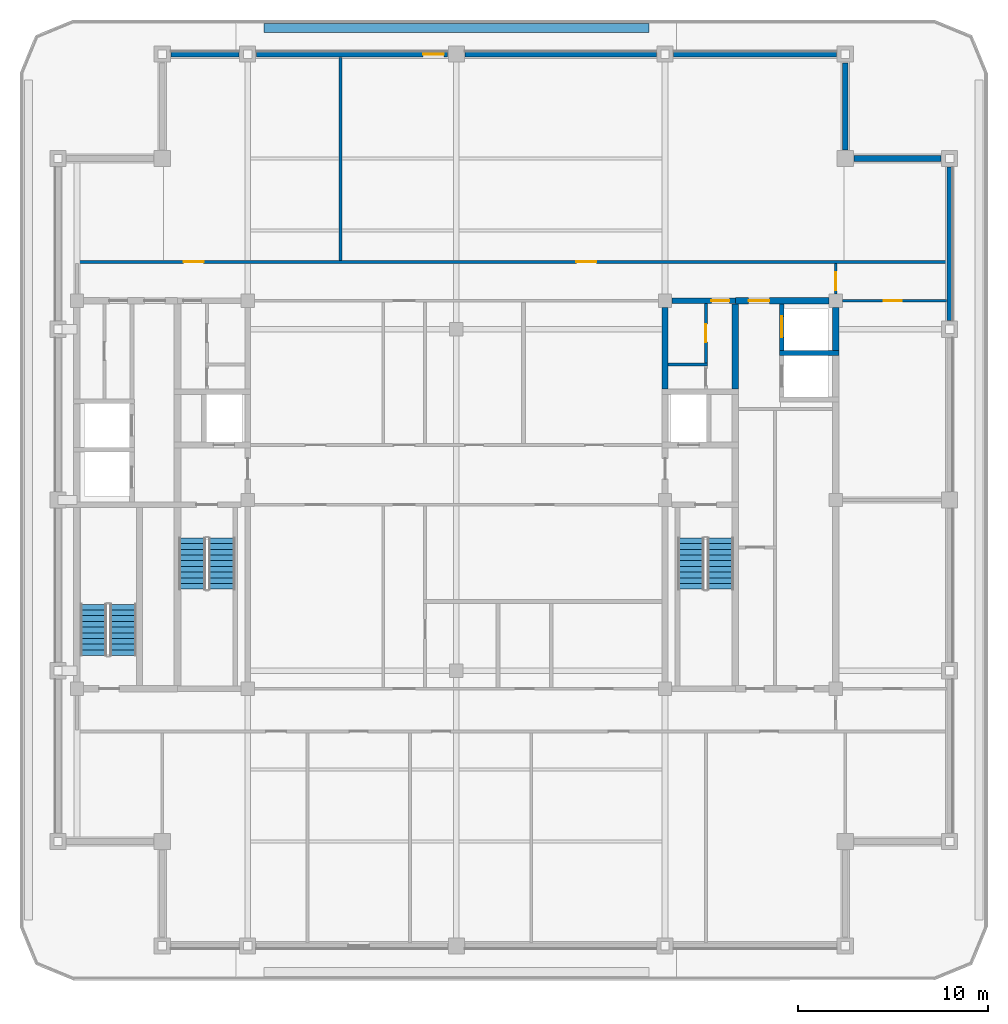
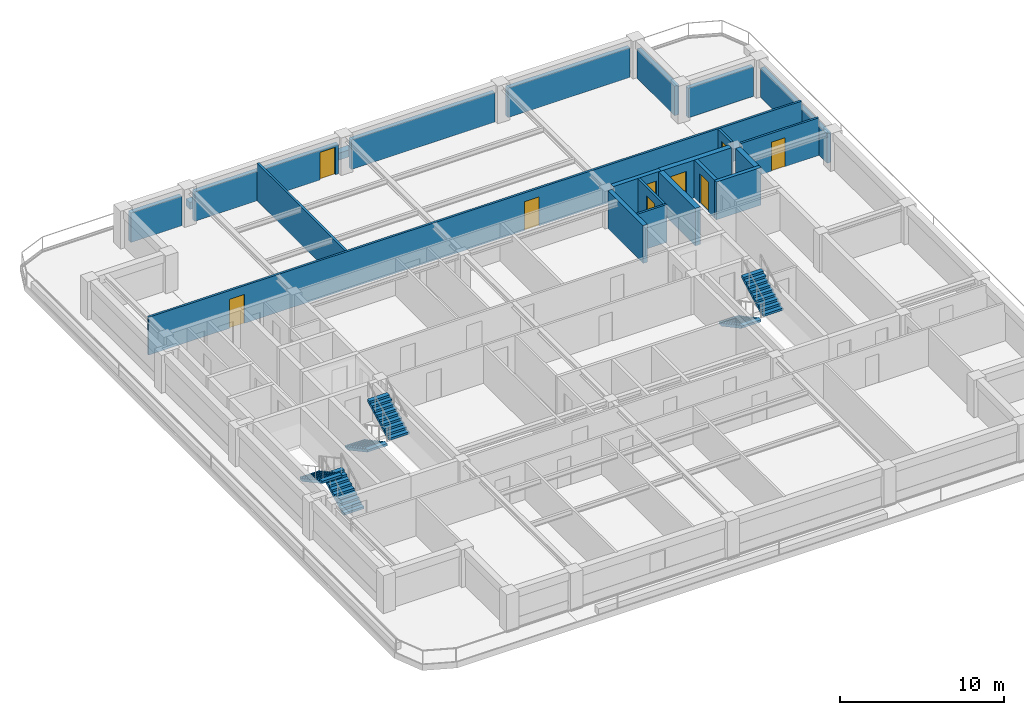
# One storey, part 5 of 10: 21 walls, 9 doors, 6 stair flights, 9 openings, 3 elements without a shape of their own.
"""IFC4 building model written with IfcOpenShell, lengths in metres."""

from ifc_helpers import new_model, si_unit, direction, frame, frame_2d, origin, place, context, subcontext, project, spatial, polyline, rectangle, outline, extrude, material, layer, layer_set, type_object, element, fill, aggregate, save


model = new_model("IFC4")

# Units and contexts
model_context = context("Model", 3, precision=1e-05, world=origin(), true_north=direction((0.0, 1.0)))
body_context = subcontext(model_context, "Body", "Model", "MODEL_VIEW")
ifc_project = project(units=[si_unit("LENGTHUNIT", "METRE"), si_unit("AREAUNIT", "SQUARE_METRE"), si_unit("VOLUMEUNIT", "CUBIC_METRE"), si_unit("PLANEANGLEUNIT", "RADIAN"), si_unit("MASSUNIT", "GRAM", prefix="KILO")], contexts=[model_context])

# Site, building, storey
site_placement = place(None, origin())
site = spatial("IfcSite", under=ifc_project, at=site_placement, CompositionType="ELEMENT")
building_placement = place(site_placement, origin())
building = spatial("IfcBuilding", under=site, at=building_placement, Name="Zulmaris Gate Convention Tower", CompositionType="ELEMENT")
storey_placement = place(building_placement, frame((0.0, 0.0, 246.199951171875)))
storey = spatial("IfcBuildingStorey", under=building, at=storey_placement, Name="L65", CompositionType="ELEMENT", Elevation=246.199951171875)

# Wall
ifc_material_1 = material(Name="Concrete C50/60", Category="concrete")
ifc_layer_1 = layer(ifc_material_1, 0.25, Name="Concrete C50/60")
ifc_layer_set_1 = layer_set([ifc_layer_1], Name="Concrete C50/60")
wall_type_1 = type_object("IfcWallType", Name="CORE-250", PredefinedType="SOLIDWALL", material=ifc_layer_set_1)
wall_1_placement = place(storey_placement, frame((17.02490234375, 7.75, 0.0), z_axis=(0.0, 0.0, 1.0), x_axis=(1.0, 0.0, 0.0)))
element("IfcWall", 1, at=wall_1_placement, inside=storey, type_object=wall_type_1, Name="WL-L65-014", PredefinedType="SOLIDWALL", context=body_context, shape_type="SweptSolid", body=[
    extrude(rectangle(XDim=3.150146484375, YDim=0.25, at=frame_2d((1.5751953125, 0.0))), origin(), (0.0, 0.0, 1.0), 2.804931640625),
])

# Wall, opening, door
wall_2_placement = place(storey_placement, frame((17.14990234375, 7.876953125, 0.0), z_axis=(0.0, 0.0, 1.0), x_axis=(0.0, 1.0, 0.0)))
wall_2 = element("IfcWall", 2, at=wall_2_placement, inside=storey, type_object=wall_type_1, Name="WL-L65-061", PredefinedType="SOLIDWALL", context=body_context, shape_type="SweptSolid", body=[
    extrude(rectangle(XDim=2.446044921875, YDim=0.25, at=frame_2d((1.22314453125, 0.0))), origin(), (0.0, 0.0, 1.0), 2.804931640625),
])
opening_1_placement = place(wall_2_placement, frame((0.697998046875, 0.0, 0.0)))
opening_1 = element("IfcOpeningElement", 3, at=opening_1_placement, cuts=wall_2, Name="Opening D-06", PredefinedType="OPENING", context=body_context, shape_type="SweptSolid", body=[
    extrude(rectangle(XDim=1.10009765625, YDim=2.199951171875, at=frame_2d((0.550048828125, 1.10009765625))), frame((0.0, 0.135009765625, 0.0), z_axis=(0.0, -1.0, 0.0), x_axis=(1.0, 0.0, 0.0)), (0.0, 0.0, 1.0), 0.27001953125),
])
ifc_material_2 = material(Name="Brushed Stainless Steel", Category="steel")
door_type_1 = type_object("IfcDoorType", Name="LD-1100", OperationType="NOTDEFINED", PredefinedType="DOOR", material=ifc_material_2)
door_1_placement = place(opening_1_placement, origin())
door_1 = element("IfcDoor", 4, at=door_1_placement, inside=storey, type_object=door_type_1, Name="L65 Lift Landing Door HP-02 20", OperationType="SLIDING_TO_RIGHT", OverallHeight=2.199951171875, OverallWidth=1.10009765625, PredefinedType="DOOR", context=body_context, shape_type="SweptSolid", body=[
    extrude(rectangle(XDim=1.10009765625, YDim=2.199951171875, at=frame_2d((0.550048828125, 1.10009765625))), frame((0.0, 0.02490234375, 0.0), z_axis=(0.0, -1.0, 0.0), x_axis=(1.0, 0.0, 0.0)), (0.0, 0.0, 1.0), 0.050048828125),
])
fill(opening_1, door_1)

ifc_layer_2 = layer(ifc_material_1, 0.300048828125, Name="Concrete C50/60")
ifc_layer_set_2 = layer_set([ifc_layer_2], Name="Concrete C50/60")
wall_type_2 = type_object("IfcWallType", Name="CORE-300", PredefinedType="SHEAR", material=ifc_layer_set_2)
wall_3_placement = place(storey_placement, frame((11.35400390625, 10.5, 0.0), z_axis=(0.0, 0.0, 1.0), x_axis=(1.0, 0.0, 0.0)))
wall_3 = element("IfcWall", 5, at=wall_3_placement, inside=storey, type_object=wall_type_2, Name="WL-L65-017", PredefinedType="SHEAR", context=body_context, shape_type="SweptSolid", body=[
    extrude(rectangle(XDim=3.345947265625, YDim=0.300048828125, at=frame_2d((1.6728515625, 0.0))), origin(), (0.0, 0.0, 1.0), 2.804931640625),
])
opening_2_placement = place(wall_3_placement, frame((2.091064453125, 0.0, 0.0)))
opening_2 = element("IfcOpeningElement", 6, at=opening_2_placement, cuts=wall_3, Name="Opening D-11", PredefinedType="OPENING", context=body_context, shape_type="SweptSolid", body=[
    extrude(rectangle(XDim=0.949951171875, YDim=2.14990234375, at=frame_2d((0.47509765625, 1.074951171875))), frame((0.0, 0.16015625, 0.0), z_axis=(0.0, -1.0, 0.0), x_axis=(1.0, 0.0, 0.0)), (0.0, 0.0, 1.0), 0.320068359375),
])
ifc_material_3 = material(Name="Fire-Rated Timber", Category="wood")
door_type_2 = type_object("IfcDoorType", Name="DR-950-FD", OperationType="NOTDEFINED", PredefinedType="DOOR", material=ifc_material_3)
door_2_placement = place(opening_2_placement, origin())
door_2 = element("IfcDoor", 7, at=door_2_placement, inside=storey, type_object=door_type_2, Name="L65 Core East Passage Door 10", OperationType="SINGLE_SWING_LEFT", OverallHeight=2.14990234375, OverallWidth=0.949951171875, PredefinedType="DOOR", context=body_context, shape_type="SweptSolid", body=[
    extrude(rectangle(XDim=0.949951171875, YDim=2.14990234375, at=frame_2d((0.47509765625, 1.074951171875))), frame((0.0, 0.02490234375, 0.0), z_axis=(0.0, -1.0, 0.0), x_axis=(1.0, 0.0, 0.0)), (0.0, 0.0, 1.0), 0.050048828125),
])
fill(opening_2, door_2)

# Wall
wall_4_placement = place(storey_placement, frame((11.0, 5.85205078125, 0.0), z_axis=(0.0, 0.0, 1.0), x_axis=(0.0, 1.0, 0.0)))
element("IfcWall", 8, at=wall_4_placement, inside=storey, type_object=wall_type_2, Name="WL-L65-053", PredefinedType="SHEAR", context=body_context, shape_type="SweptSolid", body=[
    extrude(rectangle(XDim=4.2939453125, YDim=0.300048828125, at=frame_2d((2.14697265625, 0.0))), origin(), (0.0, 0.0, 1.0), 2.804931640625),
])

# Wall, opening, door
ifc_material_4 = material(Name="Concrete C55/67", Category="concrete")
ifc_layer_3 = layer(ifc_material_4, 0.35009765625, Name="Concrete C55/67")
ifc_layer_set_3 = layer_set([ifc_layer_3], Name="Concrete C55/67")
wall_type_3 = type_object("IfcWallType", Name="CORE-350", PredefinedType="SHEAR", material=ifc_layer_set_3)
wall_5_placement = place(storey_placement, frame((14.699951171875, 10.5, 0.0), z_axis=(0.0, 0.0, 1.0), x_axis=(1.0, 0.0, 0.0)))
wall_5 = element("IfcWall", 9, at=wall_5_placement, inside=storey, type_object=wall_type_3, Name="WL-L65-018", PredefinedType="SHEAR", context=body_context, shape_type="SweptSolid", body=[
    extrude(rectangle(XDim=4.946044921875, YDim=0.35009765625, at=frame_2d((2.47314453125, 0.0))), origin(), (0.0, 0.0, 1.0), 2.804931640625),
])
opening_3_placement = place(wall_5_placement, frame((0.699951171875, 0.0, 0.0)))
opening_3 = element("IfcOpeningElement", 10, at=opening_3_placement, cuts=wall_5, Name="Opening D-08", PredefinedType="OPENING", context=body_context, shape_type="SweptSolid", body=[
    extrude(rectangle(XDim=1.10009765625, YDim=2.14990234375, at=frame_2d((0.550048828125, 1.074951171875))), frame((0.0, 0.18505859375, 0.0), z_axis=(0.0, -1.0, 0.0), x_axis=(1.0, 0.0, 0.0)), (0.0, 0.0, 1.0), 0.3701171875),
])
ifc_material_5 = material(Name="Fire-Rated Steel", Category="steel")
door_type_3 = type_object("IfcDoorType", Name="DR-1100-FD", OperationType="NOTDEFINED", PredefinedType="DOOR", material=ifc_material_5)
door_3_placement = place(opening_3_placement, origin())
door_3 = element("IfcDoor", 11, at=door_3_placement, inside=storey, type_object=door_type_3, Name="L65 High-Rise East Lift Lobby Door 21", OperationType="SINGLE_SWING_RIGHT", OverallHeight=2.14990234375, OverallWidth=1.10009765625, PredefinedType="DOOR", context=body_context, shape_type="SweptSolid", body=[
    extrude(rectangle(XDim=1.10009765625, YDim=2.14990234375, at=frame_2d((0.550048828125, 1.074951171875))), frame((0.0, 0.02490234375, 0.0), z_axis=(0.0, -1.0, 0.0), x_axis=(1.0, 0.0, 0.0)), (0.0, 0.0, 1.0), 0.050048828125),
])
fill(opening_3, door_3)

# Walls
wall_6_placement = place(storey_placement, frame((14.699951171875, 5.85205078125, 0.0), z_axis=(0.0, 0.0, 1.0), x_axis=(0.0, 1.0, 0.0)))
element("IfcWall", 12, at=wall_6_placement, inside=storey, type_object=wall_type_3, Name="WL-L65-059", PredefinedType="SHEAR", context=body_context, shape_type="SweptSolid", body=[
    extrude(rectangle(XDim=4.470947265625, YDim=0.35009765625, at=frame_2d((2.2353515625, 0.0))), origin(), (0.0, 0.0, 1.0), 2.804931640625),
])
wall_7_placement = place(storey_placement, frame((20.0, 7.876953125, 0.0), z_axis=(0.0, 0.0, 1.0), x_axis=(0.0, 1.0, 0.0)))
element("IfcWall", 13, at=wall_7_placement, inside=storey, type_object=wall_type_3, Name="WL-L65-064", PredefinedType="SHEAR", context=body_context, shape_type="SweptSolid", body=[
    extrude(rectangle(XDim=2.26904296875, YDim=0.35009765625, at=frame_2d((1.134521484375, 0.0))), origin(), (0.0, 0.0, 1.0), 2.804931640625),
])
ifc_material_6 = material(Name="Gypsum Metal Stud Partition")
ifc_layer_4 = layer(ifc_material_6, 0.14990234375, Name="Gypsum Metal Stud Partition")
ifc_layer_set_4 = layer_set([ifc_layer_4], Name="Gypsum Metal Stud Partition")
wall_type_4 = type_object("IfcWallType", Name="PART-150", PredefinedType="PARTITIONING", material=ifc_layer_set_4)
wall_8_placement = place(storey_placement, frame((11.153076171875, 7.14990234375, 0.0), z_axis=(0.0, 0.0, 1.0), x_axis=(1.0, 0.0, 0.0)))
element("IfcWall", 14, at=wall_8_placement, inside=storey, type_object=wall_type_4, Name="WL-L65-029", PredefinedType="PARTITIONING", context=body_context, shape_type="SweptSolid", body=[
    extrude(rectangle(XDim=2.072021484375, YDim=0.14990234375, at=frame_2d((1.0361328125, 0.0))), origin(), (0.0, 0.0, 1.0), 2.804931640625),
])

# Wall, opening, door
wall_9_placement = place(storey_placement, frame((20.35595703125, 10.5, 0.0), z_axis=(0.0, 0.0, 1.0), x_axis=(1.0, 0.0, 0.0)))
wall_9 = element("IfcWall", 15, at=wall_9_placement, inside=storey, type_object=wall_type_4, Name="WL-L65-031", PredefinedType="PARTITIONING", context=body_context, shape_type="SweptSolid", body=[
    extrude(rectangle(XDim=5.47900390625, YDim=0.14990234375, at=frame_2d((2.739501953125, 0.0))), origin(), (0.0, 0.0, 1.0), 2.804931640625),
])
opening_4_placement = place(wall_9_placement, frame((2.1689453125, 0.0, 0.0)))
opening_4 = element("IfcOpeningElement", 16, at=opening_4_placement, cuts=wall_9, Name="Opening D-11", PredefinedType="OPENING", context=body_context, shape_type="SweptSolid", body=[
    extrude(rectangle(XDim=0.949951171875, YDim=2.14990234375, at=frame_2d((0.47509765625, 1.074951171875))), frame((0.0, 0.0849609375, 0.0), z_axis=(0.0, -1.0, 0.0), x_axis=(1.0, 0.0, 0.0)), (0.0, 0.0, 1.0), 0.169921875),
])
door_4_placement = place(opening_4_placement, origin())
door_4 = element("IfcDoor", 17, at=door_4_placement, inside=storey, type_object=door_type_2, Name="L65 NE Partner Door 46", OperationType="SINGLE_SWING_LEFT", OverallHeight=2.14990234375, OverallWidth=0.949951171875, PredefinedType="DOOR", context=body_context, shape_type="SweptSolid", body=[
    extrude(rectangle(XDim=0.949951171875, YDim=2.14990234375, at=frame_2d((0.47509765625, 1.074951171875))), frame((0.0, 0.02490234375, 0.0), z_axis=(0.0, -1.0, 0.0), x_axis=(1.0, 0.0, 0.0)), (0.0, 0.0, 1.0), 0.050048828125),
])
fill(opening_4, door_4)

# Wall, openings, doors
wall_10_placement = place(storey_placement, frame((-20.074951171875, 12.550048828125, 0.0), z_axis=(0.0, 0.0, 1.0), x_axis=(1.0, 0.0, 0.0)))
wall_10 = element("IfcWall", 18, at=wall_10_placement, inside=storey, type_object=wall_type_4, Name="WL-L65-032", PredefinedType="PARTITIONING", context=body_context, shape_type="SweptSolid", body=[
    extrude(rectangle(XDim=45.909912109375, YDim=0.14990234375, at=frame_2d((22.955078125, 0.0))), origin(), (0.0, 0.0, 1.0), 2.804931640625),
])
opening_5_placement = place(wall_10_placement, frame((5.699951171875, 0.0, 0.0)))
opening_5 = element("IfcOpeningElement", 19, at=opening_5_placement, cuts=wall_10, Name="Opening D-09", PredefinedType="OPENING", context=body_context, shape_type="SweptSolid", body=[
    extrude(rectangle(XDim=1.050048828125, YDim=2.14990234375, at=frame_2d((0.52490234375, 1.074951171875))), frame((0.0, 0.0849609375, 0.0), z_axis=(0.0, -1.0, 0.0), x_axis=(1.0, 0.0, 0.0)), (0.0, 0.0, 1.0), 0.169921875),
])
opening_6_placement = place(wall_10_placement, frame((26.39990234375, 0.0, 0.0)))
opening_6 = element("IfcOpeningElement", 20, at=opening_6_placement, cuts=wall_10, Name="Opening D-09", PredefinedType="OPENING", context=body_context, shape_type="SweptSolid", body=[
    extrude(rectangle(XDim=1.050048828125, YDim=2.14990234375, at=frame_2d((0.52490234375, 1.074951171875))), frame((0.0, 0.0849609375, 0.0), z_axis=(0.0, -1.0, 0.0), x_axis=(1.0, 0.0, 0.0)), (0.0, 0.0, 1.0), 0.169921875),
])
door_type_4 = type_object("IfcDoorType", Name="DR-1050-FD", OperationType="NOTDEFINED", PredefinedType="DOOR", material=ifc_material_5)
door_5_placement = place(opening_5_placement, origin())
door_5 = element("IfcDoor", 21, at=door_5_placement, inside=storey, type_object=door_type_4, Name="L65 Executive Boardroom Door 29", OperationType="SINGLE_SWING_RIGHT", OverallHeight=2.14990234375, OverallWidth=1.050048828125, PredefinedType="DOOR", context=body_context, shape_type="SweptSolid", body=[
    extrude(rectangle(XDim=1.050048828125, YDim=2.14990234375, at=frame_2d((0.52490234375, 1.074951171875))), frame((0.0, 0.02490234375, 0.0), z_axis=(0.0, -1.0, 0.0), x_axis=(1.0, 0.0, 0.0)), (0.0, 0.0, 1.0), 0.050048828125),
])
fill(opening_5, door_5)
door_6_placement = place(opening_6_placement, origin())
door_6 = element("IfcDoor", 22, at=door_6_placement, inside=storey, type_object=door_type_4, Name="L65 Corporate Strategy Office Door 30", OperationType="SINGLE_SWING_LEFT", OverallHeight=2.14990234375, OverallWidth=1.050048828125, PredefinedType="DOOR", context=body_context, shape_type="SweptSolid", body=[
    extrude(rectangle(XDim=1.050048828125, YDim=2.14990234375, at=frame_2d((0.52490234375, 1.074951171875))), frame((0.0, 0.02490234375, 0.0), z_axis=(0.0, -1.0, 0.0), x_axis=(1.0, 0.0, 0.0)), (0.0, 0.0, 1.0), 0.050048828125),
])
fill(opening_6, door_6)

# Wall
wall_11_placement = place(storey_placement, frame((-6.10009765625, 12.6279296875, 0.0), z_axis=(0.0, 0.0, 1.0), x_axis=(0.0, 1.0, 0.0)))
element("IfcWall", 23, at=wall_11_placement, inside=storey, type_object=wall_type_4, Name="WL-L65-073", PredefinedType="PARTITIONING", context=body_context, shape_type="SweptSolid", body=[
    extrude(rectangle(XDim=10.70703125, YDim=0.14990234375, at=frame_2d((5.353515625, 0.0))), origin(), (0.0, 0.0, 1.0), 2.804931640625),
])

# Wall, opening, door
wall_12_placement = place(storey_placement, frame((13.14990234375, 7.22802734375, 0.0), z_axis=(0.0, 0.0, 1.0), x_axis=(0.0, 1.0, 0.0)))
wall_12 = element("IfcWall", 24, at=wall_12_placement, inside=storey, type_object=wall_type_4, Name="WL-L65-086", PredefinedType="PARTITIONING", context=body_context, shape_type="SweptSolid", body=[
    extrude(rectangle(XDim=3.118896484375, YDim=0.14990234375, at=frame_2d((1.5595703125, 0.0))), origin(), (0.0, 0.0, 1.0), 2.804931640625),
])
opening_7_placement = place(wall_12_placement, frame((1.096923828125, 0.0, 0.0)))
opening_7 = element("IfcOpeningElement", 25, at=opening_7_placement, cuts=wall_12, Name="Opening D-11", PredefinedType="OPENING", context=body_context, shape_type="SweptSolid", body=[
    extrude(rectangle(XDim=0.949951171875, YDim=2.14990234375, at=frame_2d((0.47509765625, 1.074951171875))), frame((0.0, 0.0849609375, 0.0), z_axis=(0.0, -1.0, 0.0), x_axis=(1.0, 0.0, 0.0)), (0.0, 0.0, 1.0), 0.169921875),
])
door_7_placement = place(opening_7_placement, origin())
door_7 = element("IfcDoor", 26, at=door_7_placement, inside=storey, type_object=door_type_2, Name="L65 Core Hygiene Store Door 12", OperationType="SINGLE_SWING_LEFT", OverallHeight=2.14990234375, OverallWidth=0.949951171875, PredefinedType="DOOR", context=body_context, shape_type="SweptSolid", body=[
    extrude(rectangle(XDim=0.949951171875, YDim=2.14990234375, at=frame_2d((0.47509765625, 1.074951171875))), frame((0.0, 0.02490234375, 0.0), z_axis=(0.0, -1.0, 0.0), x_axis=(1.0, 0.0, 0.0)), (0.0, 0.0, 1.0), 0.050048828125),
])
fill(opening_7, door_7)

wall_13_placement = place(storey_placement, frame((20.0, 10.85595703125, 0.0), z_axis=(0.0, 0.0, 1.0), x_axis=(0.0, 1.0, 0.0)))
wall_13 = element("IfcWall", 27, at=wall_13_placement, inside=storey, type_object=wall_type_4, Name="WL-L65-090", PredefinedType="PARTITIONING", context=body_context, shape_type="SweptSolid", body=[
    extrude(rectangle(XDim=1.615966796875, YDim=0.14990234375, at=frame_2d((0.80810546875, 0.0))), origin(), (0.0, 0.0, 1.0), 2.804931640625),
])
opening_8_placement = place(wall_13_placement, frame((0.198974609375, 0.0, 0.0)))
opening_8 = element("IfcOpeningElement", 28, at=opening_8_placement, cuts=wall_13, Name="Opening D-11", PredefinedType="OPENING", context=body_context, shape_type="SweptSolid", body=[
    extrude(rectangle(XDim=0.949951171875, YDim=2.14990234375, at=frame_2d((0.47509765625, 1.074951171875))), frame((0.0, 0.0849609375, 0.0), z_axis=(0.0, -1.0, 0.0), x_axis=(1.0, 0.0, 0.0)), (0.0, 0.0, 1.0), 0.169921875),
])
door_8_placement = place(opening_8_placement, origin())
door_8 = element("IfcDoor", 29, at=door_8_placement, inside=storey, type_object=door_type_2, Name="L65 NE Spur Door 44", OperationType="SINGLE_SWING_LEFT", OverallHeight=2.14990234375, OverallWidth=0.949951171875, PredefinedType="DOOR", context=body_context, shape_type="SweptSolid", body=[
    extrude(rectangle(XDim=0.949951171875, YDim=2.14990234375, at=frame_2d((0.47509765625, 1.074951171875))), frame((0.0, 0.02490234375, 0.0), z_axis=(0.0, -1.0, 0.0), x_axis=(1.0, 0.0, 0.0)), (0.0, 0.0, 1.0), 0.050048828125),
])
fill(opening_8, door_8)

# Walls
ifc_material_7 = material(Name="Botanical Green Glazed Precast Concrete C40/50", Category="concrete")
ifc_layer_5 = layer(ifc_material_7, 0.419921875, Name="Botanical Green Glazed Precast Concrete C40/50")
ifc_layer_set_5 = layer_set([ifc_layer_5], Name="Botanical Green Glazed Precast Concrete C40/50")
wall_type_5 = type_object("IfcWallType", Name="PLANTER-CURB-200", PredefinedType="PARAPET", material=ifc_layer_set_5)
wall_14_placement = place(storey_placement, frame((-10.14990234375, 24.8798828125, -0.0400390625), z_axis=(0.0, 0.0, 1.0), x_axis=(1.0, 0.0, 0.0)))
element("IfcWall", 30, at=wall_14_placement, inside=storey, type_object=wall_type_5, Name="L65 Full-Length Balcony Tree Planter Trough", PredefinedType="PARAPET", context=body_context, shape_type="SweptSolid", body=[
    extrude(rectangle(XDim=20.2998046875, YDim=0.47998046875, at=frame_2d((10.14990234375, 0.0))), origin(), (0.0, 0.0, 1.0), 0.52001953125),
])
ifc_material_8 = material(Name="Precast concrete C40/50", Category="concrete")
ifc_layer_6 = layer(ifc_material_8, 0.300048828125, Name="Precast concrete C40/50")
ifc_layer_set_6 = layer_set([ifc_layer_6], Name="Precast concrete C40/50")
wall_type_6 = type_object("IfcWallType", Name="PRECAST-PIER-300", PredefinedType="STANDARD", material=ifc_layer_set_6)
for number, where, z_axis, x_axis, name in (
    (31, (25.544921875, 18.0, 0.0), (0.0, 0.0, 1.0), (-1.0, 0.0, 0.0), "EW-L65-NOTCH-NE1_0"),
    (32, (20.5, 18.455078125, 0.0), (0.0, 0.0, 1.0), (0.0, 1.0, 0.0), "EW-L65-NOTCH-NE2_0"),
):
    element("IfcWall", number, at=place(storey_placement, frame(where, z_axis=z_axis, x_axis=x_axis)), inside=storey, type_object=wall_type_6, Name=name, PredefinedType="STANDARD", context=body_context, shape_type="SweptSolid", body=[
        extrude(rectangle(XDim=4.58984375, YDim=0.300048828125, at=frame_2d((2.294921875, 0.0))), origin(), (0.0, 0.0, 1.0), 2.197021484375),
    ])
wall_15_placement = place(storey_placement, frame((-11.455078125, 23.5, 0.0), z_axis=(0.0, 0.0, 1.0), x_axis=(-1.0, 0.0, 0.0)))
element("IfcWall", 33, at=wall_15_placement, inside=storey, type_object=wall_type_6, Name="EW-L65-N-0_0", PredefinedType="STANDARD", context=body_context, shape_type="SweptSolid", body=[
    extrude(rectangle(XDim=3.58984375, YDim=0.300048828125, at=frame_2d((1.794921875, 0.0))), origin(), (0.0, 0.0, 1.0), 2.197021484375),
])

# Wall, opening, door
wall_16_placement = place(storey_placement, frame((-0.455078125, 23.5, 0.0), z_axis=(0.0, 0.0, 1.0), x_axis=(-1.0, 0.0, 0.0)))
wall_16 = element("IfcWall", 34, at=wall_16_placement, inside=storey, type_object=wall_type_6, Name="EW-L65-N-1_0", PredefinedType="STANDARD", context=body_context, shape_type="SweptSolid", body=[
    extrude(rectangle(XDim=10.08984375, YDim=0.300048828125, at=frame_2d((5.044921875, 0.0))), origin(), (0.0, 0.0, 1.0), 2.197021484375),
])
opening_9_placement = place(wall_16_placement, frame((0.199951171875, 0.0, 0.0)))
opening_9 = element("IfcOpeningElement", 35, at=opening_9_placement, cuts=wall_16, Name="Opening D-27", PredefinedType="OPENING", context=body_context, shape_type="SweptSolid", body=[
    extrude(rectangle(XDim=1.10009765625, YDim=2.050048828125, at=frame_2d((0.550048828125, 1.02490234375))), frame((0.0, 0.16015625, 0.0), z_axis=(0.0, -1.0, 0.0), x_axis=(1.0, 0.0, 0.0)), (0.0, 0.0, 1.0), 0.320068359375),
])
ifc_material_9 = material(Name="Anodised Aluminium and Laminated Glass", Category="aluminium")
door_type_5 = type_object("IfcDoorType", Name="ED-1100-LOW", OperationType="SINGLE_SWING_RIGHT", PredefinedType="DOOR", material=ifc_material_9)
door_9_placement = place(opening_9_placement, origin())
door_9 = element("IfcDoor", 36, at=door_9_placement, inside=storey, type_object=door_type_5, Name="L65 N Planted Terrace Door", OperationType="SINGLE_SWING_LEFT", OverallHeight=2.050048828125, OverallWidth=1.10009765625, PredefinedType="DOOR", context=body_context, shape_type="SweptSolid", body=[
    extrude(rectangle(XDim=1.10009765625, YDim=2.050048828125, at=frame_2d((0.550048828125, 1.02490234375))), frame((0.0, 0.02490234375, 0.0), z_axis=(0.0, -1.0, 0.0), x_axis=(1.0, 0.0, 0.0)), (0.0, 0.0, 1.0), 0.050048828125),
])
fill(opening_9, door_9)

# Walls
wall_17_placement = place(storey_placement, frame((10.544921875, 23.5, 0.0), z_axis=(0.0, 0.0, 1.0), x_axis=(-1.0, 0.0, 0.0)))
element("IfcWall", 37, at=wall_17_placement, inside=storey, type_object=wall_type_6, Name="EW-L65-N-2_0", PredefinedType="STANDARD", context=body_context, shape_type="SweptSolid", body=[
    extrude(rectangle(XDim=10.08984375, YDim=0.300048828125, at=frame_2d((5.044921875, 0.0))), origin(), (0.0, 0.0, 1.0), 2.197021484375),
])
wall_18_placement = place(storey_placement, frame((20.044921875, 23.5, 0.0), z_axis=(0.0, 0.0, 1.0), x_axis=(-1.0, 0.0, 0.0)))
element("IfcWall", 38, at=wall_18_placement, inside=storey, type_object=wall_type_6, Name="EW-L65-N-3_0", PredefinedType="STANDARD", context=body_context, shape_type="SweptSolid", body=[
    extrude(rectangle(XDim=8.58984375, YDim=0.300048828125, at=frame_2d((4.294921875, 0.0))), origin(), (0.0, 0.0, 1.0), 2.197021484375),
])
wall_19_placement = place(storey_placement, frame((26.0, 9.455078125, 0.0), z_axis=(0.0, 0.0, 1.0), x_axis=(0.0, 1.0, 0.0)))
element("IfcWall", 39, at=wall_19_placement, inside=storey, type_object=wall_type_6, Name="EW-L65-E-3_0", PredefinedType="STANDARD", context=body_context, shape_type="SweptSolid", body=[
    extrude(rectangle(XDim=8.08984375, YDim=0.300048828125, at=frame_2d((4.044921875, 0.0))), origin(), (0.0, 0.0, 1.0), 2.197021484375),
])

# Stair, stair flights
ifc_material_10 = material(Name="Concrete C45/55", Category="concrete")
stair_type = type_object("IfcStairType", Name="ST-CORE-DOGLEG", PredefinedType="HALF_TURN_STAIR", material=ifc_material_10)
stair_1_placement = place(storey_placement, origin())
stair_1 = element("IfcStair", 40, at=stair_1_placement, inside=storey, type_object=stair_type, Name="L65 Core Exit Stair ST-1", PredefinedType="HALF_TURN_STAIR")
ifc_layer_7 = layer(ifc_material_10, 0.14990234375, Name="Concrete C45/55")
ifc_layer_set_7 = layer_set([ifc_layer_7], Name="Concrete C45/55")
stair_flight_type = type_object("IfcStairFlightType", Name="STF-RC150", PredefinedType="STRAIGHT", material=ifc_layer_set_7)
stair_flight_1_placement = place(storey_placement, frame((-13.919921875, -2.0, 0.0), z_axis=(0.0, 0.0, 1.0), x_axis=(0.0, -1.0, 0.0)))
stair_flight_1 = element("IfcStairFlight", 41, at=stair_flight_1_placement, type_object=stair_flight_type, Name="ST-1 flight 1", NumberOfRisers=10, NumberOfTreads=9, PredefinedType="STRAIGHT", RiserHeight=0.161495, TreadLength=0.3, context=body_context, shape_type="SweptSolid", body=[
    extrude(outline(polyline([(0.0, 0.0), (0.0, 0.161376953125), (0.300048828125, 0.161376953125), (0.300048828125, 0.322998046875), (0.60009765625, 0.322998046875), (0.60009765625, 0.484375), (0.89990234375, 0.484375), (0.89990234375, 0.64599609375), (1.199951171875, 0.64599609375), (1.199951171875, 0.807373046875), (1.5, 0.807373046875), (1.5, 0.968994140625), (1.800048828125, 0.968994140625), (1.800048828125, 1.13037109375), (2.10009765625, 1.13037109375), (2.10009765625, 1.2919921875), (2.39990234375, 1.2919921875), (2.39990234375, 1.453369140625), (2.699951171875, 1.453369140625), (2.699951171875, 1.614990234375), (2.699951171875, 1.283203125), (0.316162109375, 0.0), (0.0, 0.0)])), frame((0.0, 0.699951171875, 0.0), z_axis=(0.0, -1.0, 0.0), x_axis=(1.0, 0.0, 0.0)), (0.0, 0.0, 1.0), 1.39990234375),
])
stair_flight_2_placement = place(storey_placement, frame((-12.360107421875, -4.699951171875, 1.614990234375), z_axis=(0.0, 0.0, 1.0), x_axis=(0.0, 1.0, 0.0)))
stair_flight_2 = element("IfcStairFlight", 42, at=stair_flight_2_placement, type_object=stair_flight_type, Name="ST-1 flight 2", NumberOfRisers=10, NumberOfTreads=9, PredefinedType="STRAIGHT", RiserHeight=0.161495, TreadLength=0.3, context=body_context, shape_type="SweptSolid", body=[
    extrude(outline(polyline([(0.0, 0.0), (0.0, 0.161376953125), (0.300048828125, 0.161376953125), (0.300048828125, 0.322998046875), (0.60009765625, 0.322998046875), (0.60009765625, 0.484375), (0.89990234375, 0.484375), (0.89990234375, 0.64599609375), (1.199951171875, 0.64599609375), (1.199951171875, 0.807373046875), (1.5, 0.807373046875), (1.5, 0.968994140625), (1.800048828125, 0.968994140625), (1.800048828125, 1.13037109375), (2.10009765625, 1.13037109375), (2.10009765625, 1.2919921875), (2.39990234375, 1.2919921875), (2.39990234375, 1.453369140625), (2.699951171875, 1.453369140625), (2.699951171875, 1.614990234375), (2.699951171875, 1.283203125), (0.316162109375, 0.0), (0.0, 0.0)])), frame((0.0, 0.699951171875, 0.0), z_axis=(0.0, -1.0, 0.0), x_axis=(1.0, 0.0, 0.0)), (0.0, 0.0, 1.0), 1.39990234375),
])
aggregate(stair_1, [stair_flight_1, stair_flight_2])

stair_2_placement = place(storey_placement, origin())
stair_2 = element("IfcStair", 43, at=stair_2_placement, inside=storey, type_object=stair_type, Name="L65 Core Exit Stair ST-2", PredefinedType="HALF_TURN_STAIR")
stair_flight_3_placement = place(storey_placement, frame((12.360107421875, -2.0, 0.0), z_axis=(0.0, 0.0, 1.0), x_axis=(0.0, -1.0, 0.0)))
stair_flight_3 = element("IfcStairFlight", 44, at=stair_flight_3_placement, type_object=stair_flight_type, Name="ST-2 flight 1", NumberOfRisers=10, NumberOfTreads=9, PredefinedType="STRAIGHT", RiserHeight=0.161495, TreadLength=0.3, context=body_context, shape_type="SweptSolid", body=[
    extrude(outline(polyline([(0.0, 0.0), (0.0, 0.161376953125), (0.300048828125, 0.161376953125), (0.300048828125, 0.322998046875), (0.60009765625, 0.322998046875), (0.60009765625, 0.484375), (0.89990234375, 0.484375), (0.89990234375, 0.64599609375), (1.199951171875, 0.64599609375), (1.199951171875, 0.807373046875), (1.5, 0.807373046875), (1.5, 0.968994140625), (1.800048828125, 0.968994140625), (1.800048828125, 1.13037109375), (2.10009765625, 1.13037109375), (2.10009765625, 1.2919921875), (2.39990234375, 1.2919921875), (2.39990234375, 1.453369140625), (2.699951171875, 1.453369140625), (2.699951171875, 1.614990234375), (2.699951171875, 1.283203125), (0.316162109375, 0.0), (0.0, 0.0)])), frame((0.0, 0.699951171875, 0.0), z_axis=(0.0, -1.0, 0.0), x_axis=(1.0, 0.0, 0.0)), (0.0, 0.0, 1.0), 1.39990234375),
])
stair_flight_4_placement = place(storey_placement, frame((13.919921875, -4.699951171875, 1.614990234375), z_axis=(0.0, 0.0, 1.0), x_axis=(0.0, 1.0, 0.0)))
stair_flight_4 = element("IfcStairFlight", 45, at=stair_flight_4_placement, type_object=stair_flight_type, Name="ST-2 flight 2", NumberOfRisers=10, NumberOfTreads=9, PredefinedType="STRAIGHT", RiserHeight=0.161495, TreadLength=0.3, context=body_context, shape_type="SweptSolid", body=[
    extrude(outline(polyline([(0.0, 0.0), (0.0, 0.161376953125), (0.300048828125, 0.161376953125), (0.300048828125, 0.322998046875), (0.60009765625, 0.322998046875), (0.60009765625, 0.484375), (0.89990234375, 0.484375), (0.89990234375, 0.64599609375), (1.199951171875, 0.64599609375), (1.199951171875, 0.807373046875), (1.5, 0.807373046875), (1.5, 0.968994140625), (1.800048828125, 0.968994140625), (1.800048828125, 1.13037109375), (2.10009765625, 1.13037109375), (2.10009765625, 1.2919921875), (2.39990234375, 1.2919921875), (2.39990234375, 1.453369140625), (2.699951171875, 1.453369140625), (2.699951171875, 1.614990234375), (2.699951171875, 1.283203125), (0.316162109375, 0.0), (0.0, 0.0)])), frame((0.0, 0.699951171875, 0.0), z_axis=(0.0, -1.0, 0.0), x_axis=(1.0, 0.0, 0.0)), (0.0, 0.0, 1.0), 1.39990234375),
])
aggregate(stair_2, [stair_flight_3, stair_flight_4])

stair_3_placement = place(storey_placement, origin())
stair_3 = element("IfcStair", 46, at=stair_3_placement, inside=storey, type_object=stair_type, Name="L65 Core Exit Stair ST-3", PredefinedType="HALF_TURN_STAIR")
stair_flight_5_placement = place(storey_placement, frame((-17.56005859375, -8.199951171875, 0.0), z_axis=(0.0, 0.0, 1.0), x_axis=(0.0, 1.0, 0.0)))
stair_flight_5 = element("IfcStairFlight", 47, at=stair_flight_5_placement, type_object=stair_flight_type, Name="ST-3 flight 1", NumberOfRisers=10, NumberOfTreads=9, PredefinedType="STRAIGHT", RiserHeight=0.161495, TreadLength=0.3, context=body_context, shape_type="SweptSolid", body=[
    extrude(outline(polyline([(0.0, 0.0), (0.0, 0.161376953125), (0.300048828125, 0.161376953125), (0.300048828125, 0.322998046875), (0.60009765625, 0.322998046875), (0.60009765625, 0.484375), (0.89990234375, 0.484375), (0.89990234375, 0.64599609375), (1.199951171875, 0.64599609375), (1.199951171875, 0.807373046875), (1.5, 0.807373046875), (1.5, 0.968994140625), (1.800048828125, 0.968994140625), (1.800048828125, 1.13037109375), (2.10009765625, 1.13037109375), (2.10009765625, 1.2919921875), (2.39990234375, 1.2919921875), (2.39990234375, 1.453369140625), (2.699951171875, 1.453369140625), (2.699951171875, 1.614990234375), (2.699951171875, 1.283203125), (0.316162109375, 0.0), (0.0, 0.0)])), frame((0.0, 0.699951171875, 0.0), z_axis=(0.0, -1.0, 0.0), x_axis=(1.0, 0.0, 0.0)), (0.0, 0.0, 1.0), 1.39990234375),
])
stair_flight_6_placement = place(storey_placement, frame((-19.1201171875, -5.5, 1.614990234375), z_axis=(0.0, 0.0, 1.0), x_axis=(0.0, -1.0, 0.0)))
stair_flight_6 = element("IfcStairFlight", 48, at=stair_flight_6_placement, type_object=stair_flight_type, Name="ST-3 flight 2", NumberOfRisers=10, NumberOfTreads=9, PredefinedType="STRAIGHT", RiserHeight=0.161495, TreadLength=0.3, context=body_context, shape_type="SweptSolid", body=[
    extrude(outline(polyline([(0.0, 0.0), (0.0, 0.161376953125), (0.300048828125, 0.161376953125), (0.300048828125, 0.322998046875), (0.60009765625, 0.322998046875), (0.60009765625, 0.484375), (0.89990234375, 0.484375), (0.89990234375, 0.64599609375), (1.199951171875, 0.64599609375), (1.199951171875, 0.807373046875), (1.5, 0.807373046875), (1.5, 0.968994140625), (1.800048828125, 0.968994140625), (1.800048828125, 1.13037109375), (2.10009765625, 1.13037109375), (2.10009765625, 1.2919921875), (2.39990234375, 1.2919921875), (2.39990234375, 1.453369140625), (2.699951171875, 1.453369140625), (2.699951171875, 1.614990234375), (2.699951171875, 1.283203125), (0.316162109375, 0.0), (0.0, 0.0)])), frame((0.0, 0.699951171875, 0.0), z_axis=(0.0, -1.0, 0.0), x_axis=(1.0, 0.0, 0.0)), (0.0, 0.0, 1.0), 1.39990234375),
])
aggregate(stair_3, [stair_flight_5, stair_flight_6])

save(model, "model.ifc")
